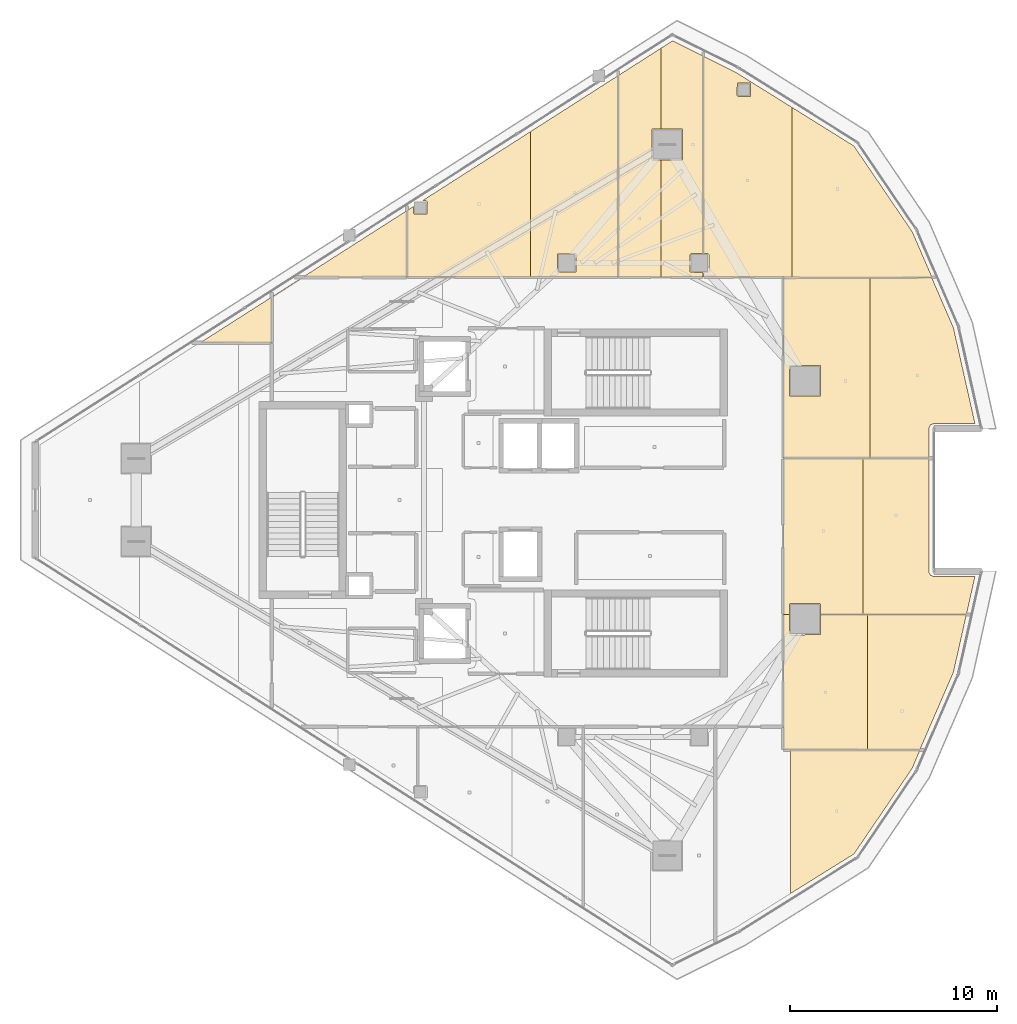
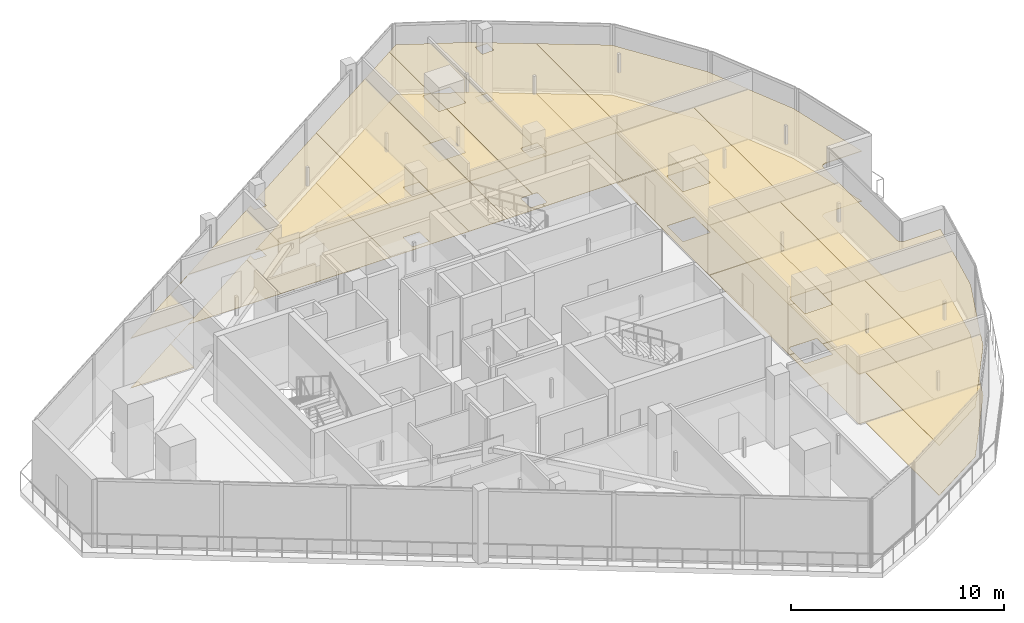
# One storey, part 30 of 30: 28 coverings.
"""IFC4 building model written with IfcOpenShell, lengths in metres."""

from ifc_helpers import new_model, si_unit, direction, frame, origin, place, context, subcontext, project, spatial, polyline, outline, extrude, material, layer, layer_set, type_object, element, save


model = new_model("IFC4")

# Units and contexts
model_context = context("Model", 3, precision=1e-05, world=origin(), true_north=direction((0.0, 1.0)))
body_context = subcontext(model_context, "Body", "Model", "MODEL_VIEW")
ifc_project = project(units=[si_unit("LENGTHUNIT", "METRE"), si_unit("AREAUNIT", "SQUARE_METRE"), si_unit("VOLUMEUNIT", "CUBIC_METRE"), si_unit("PLANEANGLEUNIT", "RADIAN"), si_unit("MASSUNIT", "GRAM", prefix="KILO")], contexts=[model_context])

# Site, building, storey
site_placement = place(None, origin())
site = spatial("IfcSite", under=ifc_project, at=site_placement, CompositionType="ELEMENT")
building_placement = place(site_placement, origin())
building = spatial("IfcBuilding", under=site, at=building_placement, Name="Qorvath Tower", CompositionType="ELEMENT")
storey_placement = place(building_placement, frame((0.0, 0.0, 301.800048828125)))
storey = spatial("IfcBuildingStorey", under=building, at=storey_placement, Name="L70", CompositionType="ELEMENT", Elevation=301.800048828125)

# Coverings
ifc_material_1 = material(Name="Acoustic mineral fibre ceiling tile", Category="gypsum")
ifc_layer_1 = layer(ifc_material_1, 0.030029296875)
ifc_layer_set_1 = layer_set([ifc_layer_1], Name="COV-CEIL")
covering_type_1 = type_object("IfcCoveringType", Name="COV-CEIL", PredefinedType="CEILING", material=ifc_layer_set_1)
covering_1_placement = place(storey_placement, frame((0.0, 0.0, 2.849853515625)))
element("IfcCovering", 1, at=covering_1_placement, inside=storey, type_object=covering_type_1, Name="L70 Suspended Acoustic Ceiling 014", PredefinedType="CEILING", context=body_context, shape_type="SweptSolid", body=[
    extrude(outline(polyline([(-31.329345703125, 13.977294921875), (-41.30859375, 7.59912109375), (-37.863037109375, 7.590087890625), (-37.863037109375, 9.784423828125), (-36.337646484375, 10.76220703125), (-31.329345703125, 10.762939453125), (-31.329345703125, 13.977294921875)])), origin(), (0.0, 0.0, 1.0), 0.030029296875),
])
covering_2_placement = place(storey_placement, frame((0.0, 0.0, 2.849853515625)))
element("IfcCovering", 2, at=covering_2_placement, inside=storey, type_object=covering_type_1, Name="L70 Suspended Acoustic Ceiling 015", PredefinedType="CEILING", context=body_context, shape_type="SweptSolid", body=[
    extrude(outline(polyline([(-25.35400390625, 10.762939453125), (-25.35400390625, 17.796630859375), (-30.5751953125, 14.459228515625), (-30.402099609375, 14.459228515625), (-30.34228515625, 14.3994140625), (-30.35986328125, 13.806884765625), (-30.99462890625, 13.806884765625), (-31.01220703125, 14.179931640625), (-31.311279296875, 13.98876953125), (-31.311279296875, 10.762939453125), (-25.35400390625, 10.762939453125)])), origin(), (0.0, 0.0, 1.0), 0.030029296875),
])
covering_3_placement = place(storey_placement, frame((0.0, 0.0, 2.849853515625)))
element("IfcCovering", 3, at=covering_3_placement, inside=storey, type_object=covering_type_1, Name="L70 Suspended Acoustic Ceiling 016", PredefinedType="CEILING", context=body_context, shape_type="SweptSolid", body=[
    extrude(outline(polyline([(-21.11865234375, 10.762939453125), (-21.1220703125, 20.50146484375), (-25.35400390625, 17.796630859375), (-25.35400390625, 10.762939453125), (-21.11865234375, 10.762939453125)]), holes=[polyline([(-24.04248046875, 11.007568359375), (-24.04248046875, 11.892333984375), (-23.157470703125, 11.892333984375), (-23.157470703125, 11.007568359375), (-24.04248046875, 11.007568359375)])]), origin(), (0.0, 0.0, 1.0), 0.030029296875),
])
covering_4_placement = place(storey_placement, frame((0.0, 0.0, 2.849853515625)))
element("IfcCovering", 4, at=covering_4_placement, inside=storey, type_object=covering_type_1, Name="L70 Suspended Acoustic Ceiling 017", PredefinedType="CEILING", context=body_context, shape_type="SweptSolid", body=[
    extrude(outline(polyline([(-19.059326171875, 10.762939453125), (-19.059326171875, 16.43310546875), (-19.492919921875, 16.43310546875), (-19.492919921875, 17.91796875), (-19.059326171875, 17.91796875), (-19.059326171875, 21.8193359375), (-21.10400390625, 20.5126953125), (-21.1005859375, 10.762939453125), (-19.059326171875, 10.762939453125)])), origin(), (0.0, 0.0, 1.0), 0.030029296875),
])
covering_5_placement = place(storey_placement, frame((0.0, 0.0, 2.849853515625)))
element("IfcCovering", 5, at=covering_5_placement, inside=storey, type_object=covering_type_1, Name="L70 Suspended Acoustic Ceiling 018", PredefinedType="CEILING", context=body_context, shape_type="SweptSolid", body=[
    extrude(outline(polyline([(-17.60009765625, 11.909912109375), (-17.01806640625, 11.909912109375), (-17.01806640625, 21.443603515625), (-18.4931640625, 22.181396484375), (-19.059326171875, 21.8193359375), (-19.059326171875, 17.91796875), (-18.008056640625, 17.91796875), (-18.008056640625, 16.43310546875), (-19.059326171875, 16.43310546875), (-19.059326171875, 10.762939453125), (-17.01806640625, 10.762939453125), (-17.01806640625, 10.989990234375), (-17.642333984375, 11.007568359375), (-17.659912109375, 11.85009765625), (-17.60009765625, 11.909912109375)])), origin(), (0.0, 0.0, 1.0), 0.030029296875),
])
covering_6_placement = place(storey_placement, frame((0.0, 0.0, 2.849853515625)))
element("IfcCovering", 6, at=covering_6_placement, inside=storey, type_object=covering_type_1, Name="L70 Suspended Acoustic Ceiling 019", PredefinedType="CEILING", context=body_context, shape_type="SweptSolid", body=[
    extrude(outline(polyline([(-12.736083984375, 10.760498046875), (-12.736083984375, 18.971923828125), (-15.423095703125, 20.646240234375), (-17.0, 21.4345703125), (-17.0, 11.909912109375), (-16.800048828125, 11.909912109375), (-16.739990234375, 11.85009765625), (-16.739990234375, 11.050048828125), (-16.800048828125, 10.989990234375), (-17.0, 10.989990234375), (-17.0, 10.762939453125), (-12.736083984375, 10.760498046875)]), holes=[polyline([(-15.381103515625, 19.543212890625), (-15.363525390625, 20.135498046875), (-14.728759765625, 20.135498046875), (-14.728759765625, 19.500732421875), (-15.321044921875, 19.483154296875), (-15.381103515625, 19.543212890625)])]), origin(), (0.0, 0.0, 1.0), 0.030029296875),
])
covering_7_placement = place(storey_placement, frame((0.0, 0.0, 2.849853515625)))
element("IfcCovering", 7, at=covering_7_placement, inside=storey, type_object=covering_type_1, Name="L70 Suspended Acoustic Ceiling 020", PredefinedType="CEILING", context=body_context, shape_type="SweptSolid", body=[
    extrude(outline(polyline([(-5.960205078125, 10.7568359375), (-6.91162109375, 12.95166015625), (-9.730712890625, 17.09912109375), (-12.736083984375, 18.971923828125), (-12.736083984375, 10.760498046875), (-5.960205078125, 10.7568359375)])), origin(), (0.0, 0.0, 1.0), 0.030029296875),
])
covering_8_placement = place(storey_placement, frame((0.0, 0.0, 2.849853515625)))
element("IfcCovering", 8, at=covering_8_placement, inside=storey, type_object=covering_type_1, Name="L70 Suspended Acoustic Ceiling 027", PredefinedType="CEILING", context=body_context, shape_type="SweptSolid", body=[
    extrude(outline(polyline([(-12.804443359375, -12.07421875), (-12.804443359375, -19.01416015625), (-9.729248046875, -17.09765625), (-6.91259765625, -12.953125), (-6.547119140625, -12.079833984375), (-12.804443359375, -12.07421875)])), origin(), (0.0, 0.0, 1.0), 0.030029296875),
])
covering_9_placement = place(storey_placement, frame((0.0, 0.0, 2.849853515625)))
element("IfcCovering", 9, at=covering_9_placement, inside=storey, type_object=covering_type_1, Name="L70 Suspended Acoustic Ceiling 028", PredefinedType="CEILING", context=body_context, shape_type="SweptSolid", body=[
    extrude(outline(polyline([(-13.136962890625, -5.537109375), (-13.136962890625, -12.055908203125), (-9.081787109375, -12.0595703125), (-9.081787109375, -5.537109375), (-11.3369140625, -5.537109375), (-11.3544921875, -6.500244140625), (-12.796875, -6.517822265625), (-12.856689453125, -6.4580078125), (-12.856689453125, -5.537109375), (-13.136962890625, -5.537109375)])), origin(), (0.0, 0.0, 1.0), 0.030029296875),
])
covering_10_placement = place(storey_placement, frame((0.0, 0.0, 2.849853515625)))
element("IfcCovering", 10, at=covering_10_placement, inside=storey, type_object=covering_type_1, Name="L70 Suspended Acoustic Ceiling 029", PredefinedType="CEILING", context=body_context, shape_type="SweptSolid", body=[
    extrude(outline(polyline([(-9.081787109375, -5.537109375), (-9.081787109375, -12.0595703125), (-6.547607421875, -12.061767578125), (-4.92626953125, -8.321044921875), (-4.30029296875, -5.537109375), (-9.081787109375, -5.537109375)])), origin(), (0.0, 0.0, 1.0), 0.030029296875),
])
covering_11_placement = place(storey_placement, frame((0.0, 0.0, 2.849853515625)))
element("IfcCovering", 11, at=covering_11_placement, inside=storey, type_object=covering_type_1, Name="L70 Suspended Acoustic Ceiling 030", PredefinedType="CEILING", context=body_context, shape_type="SweptSolid", body=[
    extrude(outline(polyline([(-9.289794921875, -5.51904296875), (-9.289794921875, 2.005859375), (-13.136962890625, 2.005859375), (-13.136962890625, -5.51904296875), (-12.856689453125, -5.51904296875), (-12.856689453125, -5.057861328125), (-12.796875, -4.997802734375), (-11.396728515625, -4.997802734375), (-11.3369140625, -5.057861328125), (-11.3369140625, -5.51904296875), (-9.289794921875, -5.51904296875)])), origin(), (0.0, 0.0, 1.0), 0.030029296875),
])
covering_12_placement = place(storey_placement, frame((0.0, 0.0, 2.849853515625)))
element("IfcCovering", 12, at=covering_12_placement, inside=storey, type_object=covering_type_1, Name="L70 Suspended Acoustic Ceiling 031", PredefinedType="CEILING", context=body_context, shape_type="SweptSolid", body=[
    extrude(outline(polyline([(-6.023681640625, -3.6357421875), (-6.11083984375, -3.488525390625), (-6.11572265625, 2.005859375), (-9.289794921875, 2.005859375), (-9.289794921875, -5.51904296875), (-4.29638671875, -5.51904296875), (-3.88623046875, -3.69482421875), (-5.88525390625, -3.693603515625), (-6.023681640625, -3.6357421875)])), origin(), (0.0, 0.0, 1.0), 0.030029296875),
])
covering_13_placement = place(storey_placement, frame((0.0, 0.0, 2.849853515625)))
element("IfcCovering", 13, at=covering_13_placement, inside=storey, type_object=covering_type_1, Name="L70 Suspended Acoustic Ceiling 032", PredefinedType="CEILING", context=body_context, shape_type="SweptSolid", body=[
    extrude(outline(polyline([(-8.944580078125, 2.02392578125), (-8.944580078125, 10.727294921875), (-13.136962890625, 10.7109375), (-13.136962890625, 2.02392578125), (-8.944580078125, 2.02392578125)]), holes=[polyline([(-12.839111328125, 5.015380859375), (-12.839111328125, 6.500244140625), (-11.3544921875, 6.500244140625), (-11.3544921875, 5.015380859375), (-12.839111328125, 5.015380859375)])]), origin(), (0.0, 0.0, 1.0), 0.030029296875),
])
covering_14_placement = place(storey_placement, frame((0.0, 0.0, 2.849853515625)))
element("IfcCovering", 14, at=covering_14_placement, inside=storey, type_object=covering_type_1, Name="L70 Suspended Acoustic Ceiling 033", PredefinedType="CEILING", context=body_context, shape_type="SweptSolid", body=[
    extrude(outline(polyline([(-5.8623046875, 3.694580078125), (-3.88623046875, 3.69482421875), (-4.92626953125, 8.321044921875), (-5.97412109375, 10.73876953125), (-8.944580078125, 10.727294921875), (-8.944580078125, 2.02392578125), (-6.11572265625, 2.02392578125), (-6.114501953125, 3.46435546875), (-6.023681640625, 3.635498046875), (-5.8623046875, 3.694580078125)])), origin(), (0.0, 0.0, 1.0), 0.030029296875),
])
ifc_material_2 = material(Name="Low-VOC modular carpet tile", Category="textile")
ifc_layer_2 = layer(ifc_material_2, 0.014892578125)
ifc_layer_set_2 = layer_set([ifc_layer_2], Name="COV-FLOOR-CPT")
covering_type_2 = type_object("IfcCoveringType", Name="COV-FLOOR-CPT", PredefinedType="FLOORING", material=ifc_layer_set_2)
covering_15_placement = place(storey_placement, origin())
element("IfcCovering", 15, at=covering_15_placement, inside=storey, type_object=covering_type_2, Name="L70 Floor Finish 014", PredefinedType="FLOORING", context=body_context, shape_type="SweptSolid", body=[
    extrude(outline(polyline([(-31.329345703125, 13.977294921875), (-41.30859375, 7.59912109375), (-37.863037109375, 7.590087890625), (-37.863037109375, 9.784423828125), (-36.337646484375, 10.76220703125), (-31.329345703125, 10.762939453125), (-31.329345703125, 13.977294921875)])), origin(), (0.0, 0.0, 1.0), 0.014892578125),
])
covering_16_placement = place(storey_placement, origin())
element("IfcCovering", 16, at=covering_16_placement, inside=storey, type_object=covering_type_2, Name="L70 Floor Finish 015", PredefinedType="FLOORING", context=body_context, shape_type="SweptSolid", body=[
    extrude(outline(polyline([(-25.35400390625, 10.762939453125), (-25.35400390625, 17.796630859375), (-30.5751953125, 14.459228515625), (-30.402099609375, 14.459228515625), (-30.34228515625, 14.3994140625), (-30.35986328125, 13.806884765625), (-30.99462890625, 13.806884765625), (-31.01220703125, 14.179931640625), (-31.311279296875, 13.98876953125), (-31.311279296875, 10.762939453125), (-25.35400390625, 10.762939453125)])), origin(), (0.0, 0.0, 1.0), 0.014892578125),
])
covering_17_placement = place(storey_placement, origin())
element("IfcCovering", 17, at=covering_17_placement, inside=storey, type_object=covering_type_2, Name="L70 Floor Finish 016", PredefinedType="FLOORING", context=body_context, shape_type="SweptSolid", body=[
    extrude(outline(polyline([(-21.11865234375, 10.762939453125), (-21.1220703125, 20.50146484375), (-25.35400390625, 17.796630859375), (-25.35400390625, 10.762939453125), (-21.11865234375, 10.762939453125)]), holes=[polyline([(-24.04248046875, 11.007568359375), (-24.04248046875, 11.892333984375), (-23.157470703125, 11.892333984375), (-23.157470703125, 11.007568359375), (-24.04248046875, 11.007568359375)])]), origin(), (0.0, 0.0, 1.0), 0.014892578125),
])
covering_18_placement = place(storey_placement, origin())
element("IfcCovering", 18, at=covering_18_placement, inside=storey, type_object=covering_type_2, Name="L70 Floor Finish 017", PredefinedType="FLOORING", context=body_context, shape_type="SweptSolid", body=[
    extrude(outline(polyline([(-19.059326171875, 10.762939453125), (-19.059326171875, 16.43310546875), (-19.492919921875, 16.43310546875), (-19.492919921875, 17.91796875), (-19.059326171875, 17.91796875), (-19.059326171875, 21.8193359375), (-21.10400390625, 20.5126953125), (-21.1005859375, 10.762939453125), (-19.059326171875, 10.762939453125)])), origin(), (0.0, 0.0, 1.0), 0.014892578125),
])
covering_19_placement = place(storey_placement, origin())
element("IfcCovering", 19, at=covering_19_placement, inside=storey, type_object=covering_type_2, Name="L70 Floor Finish 018", PredefinedType="FLOORING", context=body_context, shape_type="SweptSolid", body=[
    extrude(outline(polyline([(-17.60009765625, 11.909912109375), (-17.01806640625, 11.909912109375), (-17.01806640625, 21.443603515625), (-18.4931640625, 22.181396484375), (-19.059326171875, 21.8193359375), (-19.059326171875, 17.91796875), (-18.008056640625, 17.91796875), (-18.008056640625, 16.43310546875), (-19.059326171875, 16.43310546875), (-19.059326171875, 10.762939453125), (-17.01806640625, 10.762939453125), (-17.01806640625, 10.989990234375), (-17.642333984375, 11.007568359375), (-17.659912109375, 11.85009765625), (-17.60009765625, 11.909912109375)])), origin(), (0.0, 0.0, 1.0), 0.014892578125),
])
covering_20_placement = place(storey_placement, origin())
element("IfcCovering", 20, at=covering_20_placement, inside=storey, type_object=covering_type_2, Name="L70 Floor Finish 019", PredefinedType="FLOORING", context=body_context, shape_type="SweptSolid", body=[
    extrude(outline(polyline([(-12.736083984375, 10.760498046875), (-12.736083984375, 18.971923828125), (-15.423095703125, 20.646240234375), (-17.0, 21.4345703125), (-17.0, 11.909912109375), (-16.800048828125, 11.909912109375), (-16.739990234375, 11.85009765625), (-16.739990234375, 11.050048828125), (-16.800048828125, 10.989990234375), (-17.0, 10.989990234375), (-17.0, 10.762939453125), (-12.736083984375, 10.760498046875)]), holes=[polyline([(-15.381103515625, 19.543212890625), (-15.363525390625, 20.135498046875), (-14.728759765625, 20.135498046875), (-14.728759765625, 19.500732421875), (-15.321044921875, 19.483154296875), (-15.381103515625, 19.543212890625)])]), origin(), (0.0, 0.0, 1.0), 0.014892578125),
])
covering_21_placement = place(storey_placement, origin())
element("IfcCovering", 21, at=covering_21_placement, inside=storey, type_object=covering_type_2, Name="L70 Floor Finish 020", PredefinedType="FLOORING", context=body_context, shape_type="SweptSolid", body=[
    extrude(outline(polyline([(-5.960205078125, 10.7568359375), (-6.91162109375, 12.95166015625), (-9.730712890625, 17.09912109375), (-12.736083984375, 18.971923828125), (-12.736083984375, 10.760498046875), (-5.960205078125, 10.7568359375)])), origin(), (0.0, 0.0, 1.0), 0.014892578125),
])
covering_22_placement = place(storey_placement, origin())
element("IfcCovering", 22, at=covering_22_placement, inside=storey, type_object=covering_type_2, Name="L70 Floor Finish 027", PredefinedType="FLOORING", context=body_context, shape_type="SweptSolid", body=[
    extrude(outline(polyline([(-12.804443359375, -12.07421875), (-12.804443359375, -19.01416015625), (-9.729248046875, -17.09765625), (-6.91259765625, -12.953125), (-6.547119140625, -12.079833984375), (-12.804443359375, -12.07421875)])), origin(), (0.0, 0.0, 1.0), 0.014892578125),
])
covering_23_placement = place(storey_placement, origin())
element("IfcCovering", 23, at=covering_23_placement, inside=storey, type_object=covering_type_2, Name="L70 Floor Finish 028", PredefinedType="FLOORING", context=body_context, shape_type="SweptSolid", body=[
    extrude(outline(polyline([(-13.136962890625, -5.537109375), (-13.136962890625, -12.055908203125), (-9.081787109375, -12.0595703125), (-9.081787109375, -5.537109375), (-11.3369140625, -5.537109375), (-11.3544921875, -6.500244140625), (-12.796875, -6.517822265625), (-12.856689453125, -6.4580078125), (-12.856689453125, -5.537109375), (-13.136962890625, -5.537109375)])), origin(), (0.0, 0.0, 1.0), 0.014892578125),
])
covering_24_placement = place(storey_placement, origin())
element("IfcCovering", 24, at=covering_24_placement, inside=storey, type_object=covering_type_2, Name="L70 Floor Finish 029", PredefinedType="FLOORING", context=body_context, shape_type="SweptSolid", body=[
    extrude(outline(polyline([(-9.081787109375, -5.537109375), (-9.081787109375, -12.0595703125), (-6.547607421875, -12.061767578125), (-4.92626953125, -8.321044921875), (-4.30029296875, -5.537109375), (-9.081787109375, -5.537109375)])), origin(), (0.0, 0.0, 1.0), 0.014892578125),
])
covering_25_placement = place(storey_placement, origin())
element("IfcCovering", 25, at=covering_25_placement, inside=storey, type_object=covering_type_2, Name="L70 Floor Finish 030", PredefinedType="FLOORING", context=body_context, shape_type="SweptSolid", body=[
    extrude(outline(polyline([(-9.289794921875, -5.51904296875), (-9.289794921875, 2.005859375), (-13.136962890625, 2.005859375), (-13.136962890625, -5.51904296875), (-12.856689453125, -5.51904296875), (-12.856689453125, -5.057861328125), (-12.796875, -4.997802734375), (-11.396728515625, -4.997802734375), (-11.3369140625, -5.057861328125), (-11.3369140625, -5.51904296875), (-9.289794921875, -5.51904296875)])), origin(), (0.0, 0.0, 1.0), 0.014892578125),
])
covering_26_placement = place(storey_placement, origin())
element("IfcCovering", 26, at=covering_26_placement, inside=storey, type_object=covering_type_2, Name="L70 Floor Finish 031", PredefinedType="FLOORING", context=body_context, shape_type="SweptSolid", body=[
    extrude(outline(polyline([(-6.023681640625, -3.6357421875), (-6.11083984375, -3.488525390625), (-6.11572265625, 2.005859375), (-9.289794921875, 2.005859375), (-9.289794921875, -5.51904296875), (-4.29638671875, -5.51904296875), (-3.88623046875, -3.69482421875), (-5.88525390625, -3.693603515625), (-6.023681640625, -3.6357421875)])), origin(), (0.0, 0.0, 1.0), 0.014892578125),
])
covering_27_placement = place(storey_placement, origin())
element("IfcCovering", 27, at=covering_27_placement, inside=storey, type_object=covering_type_2, Name="L70 Floor Finish 032", PredefinedType="FLOORING", context=body_context, shape_type="SweptSolid", body=[
    extrude(outline(polyline([(-8.944580078125, 2.02392578125), (-8.944580078125, 10.727294921875), (-13.136962890625, 10.7109375), (-13.136962890625, 2.02392578125), (-8.944580078125, 2.02392578125)]), holes=[polyline([(-12.839111328125, 5.015380859375), (-12.839111328125, 6.500244140625), (-11.3544921875, 6.500244140625), (-11.3544921875, 5.015380859375), (-12.839111328125, 5.015380859375)])]), origin(), (0.0, 0.0, 1.0), 0.014892578125),
])
covering_28_placement = place(storey_placement, origin())
element("IfcCovering", 28, at=covering_28_placement, inside=storey, type_object=covering_type_2, Name="L70 Floor Finish 033", PredefinedType="FLOORING", context=body_context, shape_type="SweptSolid", body=[
    extrude(outline(polyline([(-5.8623046875, 3.694580078125), (-3.88623046875, 3.69482421875), (-4.92626953125, 8.321044921875), (-5.97412109375, 10.73876953125), (-8.944580078125, 10.727294921875), (-8.944580078125, 2.02392578125), (-6.11572265625, 2.02392578125), (-6.114501953125, 3.46435546875), (-6.023681640625, 3.635498046875), (-5.8623046875, 3.694580078125)])), origin(), (0.0, 0.0, 1.0), 0.014892578125),
])

save(model, "model.ifc")
